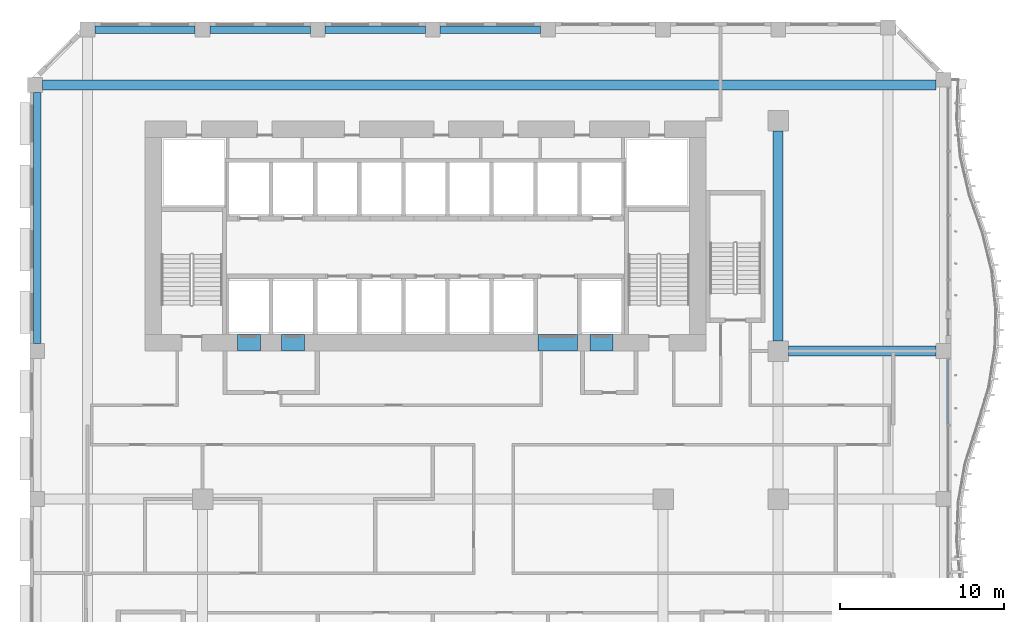
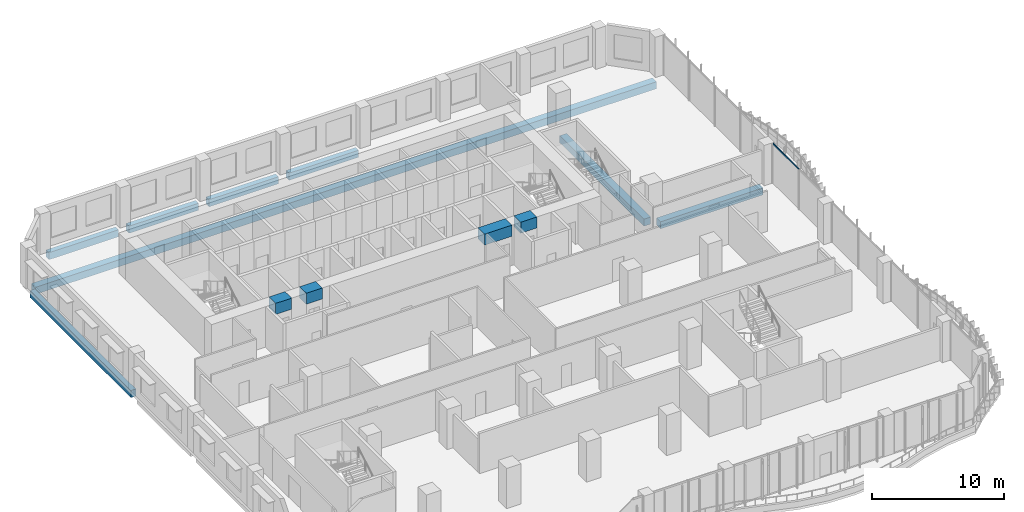
# One storey, part 8 of 27: 12 beams, 1 member, 1 element without a shape of its own.
"""IFC4 building model written with IfcOpenShell, lengths in metres."""

from ifc_helpers import new_model, si_unit, direction, frame, origin, origin_2d, place, context, subcontext, project, spatial, rectangle, extrude, source, transform, mapped, material, material_profile, profile_set, type_object, element, aggregate, save


model = new_model("IFC4")

# Units and contexts
model_context = context("Model", 3, precision=1e-05, world=origin(), true_north=direction((0.0, 1.0)))
body_context = subcontext(model_context, "Body", "Model", "MODEL_VIEW")
ifc_project = project(units=[si_unit("LENGTHUNIT", "METRE"), si_unit("AREAUNIT", "SQUARE_METRE"), si_unit("VOLUMEUNIT", "CUBIC_METRE"), si_unit("PLANEANGLEUNIT", "RADIAN"), si_unit("MASSUNIT", "GRAM", prefix="KILO")], contexts=[model_context])

# Site, building, storey
site_placement = place(None, origin())
site = spatial("IfcSite", under=ifc_project, at=site_placement, CompositionType="ELEMENT")
building_placement = place(site_placement, origin())
building = spatial("IfcBuilding", under=site, at=building_placement, Name="Kilnfold Tower and Market Hall", CompositionType="ELEMENT")
storey_placement = place(building_placement, frame((0.0, 0.0, 71.199951171875)))
storey = spatial("IfcBuildingStorey", under=building, at=storey_placement, Name="L16", CompositionType="ELEMENT", Elevation=71.199951171875)

# Beams
ifc_material_1 = material(Name="Concrete C45", Category="concrete")
ifc_material_profile_1 = material_profile(ifc_material_1, rectangle(XDim=0.449951171875, YDim=0.64990234375, at=origin_2d()), Name="RC 450x650")
ifc_profile_set_1 = profile_set([ifc_material_profile_1], Name="Concrete C45")
beam_type_1 = type_object("IfcBeamType", Name="EDGE BEAM 450X650 C45", PredefinedType="BEAM", material=ifc_profile_set_1)
shared_shape_1 = source(origin(), body_context, "Body", "SweptSolid", [
    extrude(rectangle(XDim=0.449951171875, YDim=0.64990234375, at=origin_2d()), origin(), (0.0, 0.0, 1.0), 6.10009765625),
])
for number, where, z_axis, x_axis, name in (
    (1, (-19.050048828125, 27.550048828125, -0.60498046875), (1.0, 0.0, 0.0), (0.0, 1.0, 0.0), "Beam EB650-B2.75"),
    (2, (-12.050048828125, 27.550048828125, -0.60498046875), (1.0, 0.0, 0.0), (0.0, 1.0, 0.0), "Beam EB650-B2.76"),
    (3, (-5.050048828125, 27.550048828125, -0.60498046875), (1.0, 0.0, 0.0), (0.0, 1.0, 0.0), "Beam EB650-B2.77"),
    (4, (1.949951171875, 27.550048828125, -0.60498046875), (1.0, 0.0, 0.0), (0.0, 1.0, 0.0), "Beam EB650-B2.78"),
):
    element("IfcBeam", number, at=place(storey_placement, frame(where, z_axis=z_axis, x_axis=x_axis)), inside=storey, type_object=beam_type_1, Name=name, PredefinedType="BEAM", context=body_context, shape_type="MappedRepresentation", body=[
        mapped(shared_shape_1, transform((0.0, 0.0, 0.0))),
    ])
ifc_material_2 = material(Name="Concrete C45", Category="concrete")
ifc_material_profile_2 = material_profile(ifc_material_2, rectangle(XDim=0.60009765625, YDim=0.64990234375, at=origin_2d()), Name="RC 600x650")
ifc_profile_set_2 = profile_set([ifc_material_profile_2], Name="Concrete C45")
beam_type_2 = type_object("IfcBeamType", Name="BEAM 600X650 C45", PredefinedType="BEAM", material=ifc_profile_set_2)
shared_shape_2 = source(origin(), body_context, "Body", "SweptSolid", [
    extrude(rectangle(XDim=0.60009765625, YDim=0.64990234375, at=origin_2d()), origin(), (0.0, 0.0, 1.0), 54.331787109375),
])
beam_1_placement = place(storey_placement, frame((-22.231689453125, 24.179931640625, -0.60498046875), z_axis=(1.0, 0.0, 0.0), x_axis=(0.0, 1.0, 0.0)))
element("IfcBeam", 5, at=beam_1_placement, inside=storey, type_object=beam_type_2, Name="Beam BB650-B2.74", PredefinedType="BEAM", context=body_context, shape_type="MappedRepresentation", body=[
    mapped(shared_shape_2, transform((0.0, 0.0, 0.0))),
])
shared_shape_3 = source(origin(), body_context, "Body", "SweptSolid", [
    extrude(rectangle(XDim=0.449951171875, YDim=0.64990234375, at=origin_2d()), origin(), (0.0, 0.0, 1.0), 15.28173828125),
])
beam_2_placement = place(storey_placement, frame((-22.550048828125, 8.449951171875, -0.60498046875), z_axis=(0.0, 1.0, 0.0), x_axis=(-1.0, 0.0, 0.0)))
element("IfcBeam", 6, at=beam_2_placement, inside=storey, type_object=beam_type_1, Name="Beam EB650-B2.41", PredefinedType="BEAM", context=body_context, shape_type="MappedRepresentation", body=[
    mapped(shared_shape_3, transform((0.0, 0.0, 0.0))),
])
ifc_material_3 = material(Name="Concrete C80", Category="concrete")
ifc_material_profile_3 = material_profile(ifc_material_3, rectangle(XDim=1.0, YDim=1.02001953125, at=origin_2d()), Name="RC 1000x1020")
ifc_profile_set_3 = profile_set([ifc_material_profile_3], Name="Concrete C80")
beam_type_3 = type_object("IfcBeamType", Name="COUPLING BEAM 1000X1020 C80", PredefinedType="BEAM", material=ifc_profile_set_3)
shared_shape_4 = source(origin(), body_context, "Body", "SweptSolid", [
    extrude(rectangle(XDim=1.0, YDim=1.02001953125, at=origin_2d()), origin(), (0.0, 0.0, 1.0), 1.400146484375),
])
beam_3_placement = place(storey_placement, frame((-10.3701171875, 8.5, 3.2099609375), z_axis=(1.0, 0.0, 0.0), x_axis=(0.0, 1.0, 0.0)))
element("IfcBeam", 7, at=beam_3_placement, inside=storey, type_object=beam_type_3, Name="Coupling beam CB1020-80-CORE.42", PredefinedType="BEAM", context=body_context, shape_type="MappedRepresentation", body=[
    mapped(shared_shape_4, transform((0.0, 0.0, 0.0))),
])
shared_shape_5 = source(origin(), body_context, "Body", "SweptSolid", [
    extrude(rectangle(XDim=1.0, YDim=1.02001953125, at=origin_2d()), origin(), (0.0, 0.0, 1.0), 1.39990234375),
])
for number, where, z_axis, x_axis, name in (
    (8, (-7.68994140625, 8.5, 3.2099609375), (1.0, 0.0, 0.0), (0.0, 1.0, 0.0), "Coupling beam CB1020-80-CORE.43"),
    (9, (11.070068359375, 8.5, 3.2099609375), (1.0, 0.0, 0.0), (0.0, 1.0, 0.0), "Coupling beam CB1020-80-CORE.45"),
):
    element("IfcBeam", number, at=place(storey_placement, frame(where, z_axis=z_axis, x_axis=x_axis)), inside=storey, type_object=beam_type_3, Name=name, PredefinedType="BEAM", context=body_context, shape_type="MappedRepresentation", body=[
        mapped(shared_shape_5, transform((0.0, 0.0, 0.0))),
    ])
shared_shape_6 = source(origin(), body_context, "Body", "SweptSolid", [
    extrude(rectangle(XDim=1.0, YDim=1.02001953125, at=origin_2d()), origin(), (0.0, 0.0, 1.0), 2.400146484375),
])
beam_4_placement = place(storey_placement, frame((7.889892578125, 8.5, 3.2099609375), z_axis=(1.0, 0.0, 0.0), x_axis=(0.0, 1.0, 0.0)))
element("IfcBeam", 10, at=beam_4_placement, inside=storey, type_object=beam_type_3, Name="Coupling beam CB1020-80-CORE.44", PredefinedType="BEAM", context=body_context, shape_type="MappedRepresentation", body=[
    mapped(shared_shape_6, transform((0.0, 0.0, 0.0))),
])
shared_shape_7 = source(origin(), body_context, "Body", "SweptSolid", [
    extrude(rectangle(XDim=0.60009765625, YDim=0.64990234375, at=origin_2d()), origin(), (0.0, 0.0, 1.0), 8.97509765625),
])
beam_5_placement = place(storey_placement, frame((23.125, 8.0, -0.60498046875), z_axis=(1.0, 0.0, 0.0), x_axis=(0.0, 1.0, 0.0)))
element("IfcBeam", 11, at=beam_5_placement, inside=storey, type_object=beam_type_2, Name="Beam BB650-B2.73", PredefinedType="BEAM", context=body_context, shape_type="MappedRepresentation", body=[
    mapped(shared_shape_7, transform((0.0, 0.0, 0.0))),
])
shared_shape_8 = source(origin(), body_context, "Body", "SweptSolid", [
    extrude(rectangle(XDim=0.60009765625, YDim=0.64990234375, at=origin_2d()), origin(), (0.0, 0.0, 1.0), 12.75),
])
beam_6_placement = place(storey_placement, frame((22.5, 8.625, -0.60498046875), z_axis=(0.0, 1.0, 0.0), x_axis=(-1.0, 0.0, 0.0)))
element("IfcBeam", 12, at=beam_6_placement, inside=storey, type_object=beam_type_2, Name="Beam BB650-B2.97", PredefinedType="BEAM", context=body_context, shape_type="MappedRepresentation", body=[
    mapped(shared_shape_8, transform((0.0, 0.0, 0.0))),
])

# Curtain wall, member
ifc_material_4 = material(Name="Aluminium and double glazing", Category="aluminium")
curtain_wall_type = type_object("IfcCurtainWallType", Name="CW OF1 VALLEY GLAZING", PredefinedType="NOTDEFINED", material=ifc_material_4)
curtain_wall_placement = place(storey_placement, origin())
curtain_wall = element("IfcCurtainWall", 13, at=curtain_wall_placement, inside=storey, type_object=curtain_wall_type, Name="Curtain wall CW1 L16 E", PredefinedType="NOTDEFINED")
ifc_material_5 = material(Name="Aluminium", Category="aluminium")
ifc_material_profile_4 = material_profile(ifc_material_5, rectangle(XDim=0.06005859375, YDim=0.139892578125, at=origin_2d()), Name="TRANSOM 60x140")
ifc_profile_set_4 = profile_set([ifc_material_profile_4], Name="Aluminium")
member_type = type_object("IfcMemberType", Name="TRANSOM 60X140", PredefinedType="USERDEFINED", material=ifc_profile_set_4)
shared_shape_9 = source(origin(), body_context, "Body", "SweptSolid", [
    extrude(rectangle(XDim=0.06005859375, YDim=0.139892578125, at=origin_2d()), origin(), (0.0, 0.0, 1.0), 3.929931640625),
])
member_placement = place(storey_placement, frame((32.85009765625, 3.56005859375, 3.68994140625), z_axis=(0.0, 1.0, 0.0), x_axis=(-1.0, 0.0, 0.0)))
member = element("IfcMember", 14, at=member_placement, type_object=member_type, Name="CW1 transom 1.2", ObjectType="TRANSOM", PredefinedType="USERDEFINED", context=body_context, shape_type="MappedRepresentation", body=[
    mapped(shared_shape_9, transform((0.0, 0.0, 0.0))),
])
aggregate(curtain_wall, [member])

save(model, "model.ifc")
